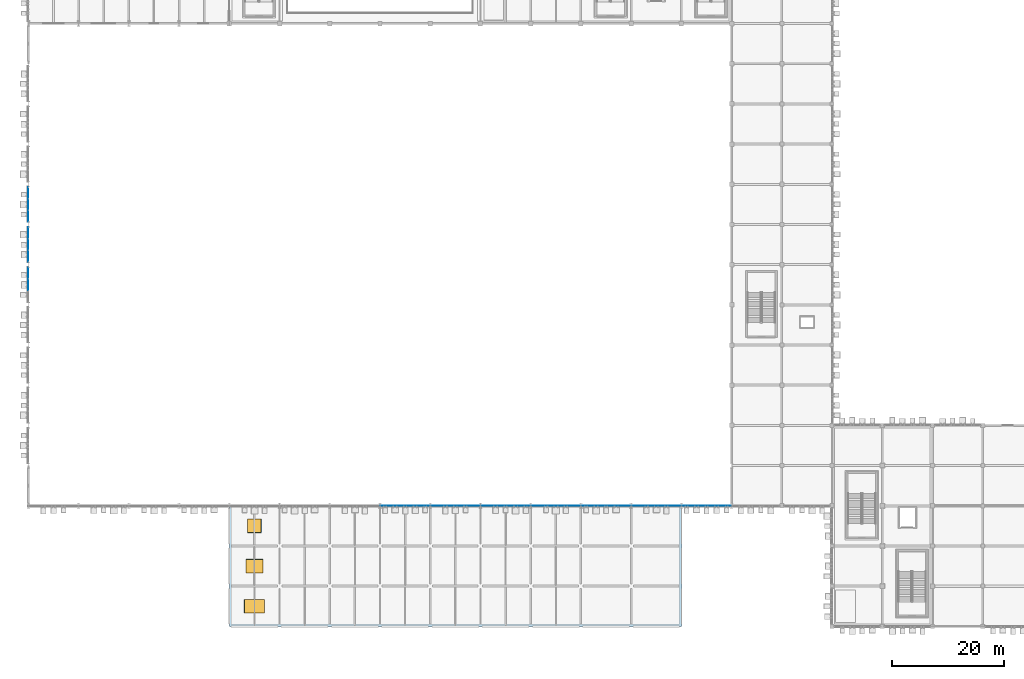
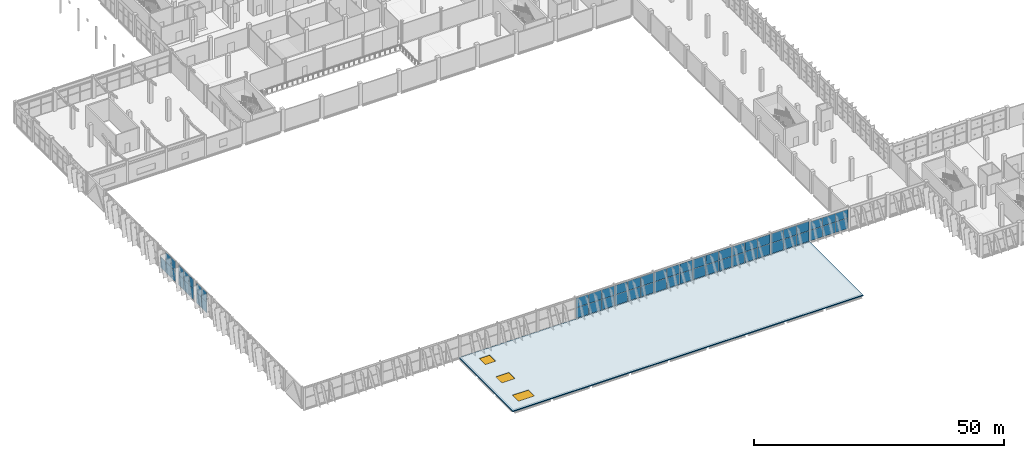
# One storey, part 113 of 189: 57 plates, 3 windows, 1 slab, 3 openings, 10 elements without a shape of their own.
"""IFC4 building model written with IfcOpenShell, lengths in metres."""

from ifc_helpers import new_model, si_unit, direction, frame, origin, origin_2d, place, context, subcontext, project, spatial, polyline, rectangle, outline, extrude, material, layer, layer_set, type_object, element, fill, aggregate, save


model = new_model("IFC4")

# Units and contexts
model_context = context("Model", 3, precision=1e-05, world=origin(), true_north=direction((0.0, 1.0)))
body_context = subcontext(model_context, "Body", "Model", "MODEL_VIEW")
ifc_project = project(units=[si_unit("LENGTHUNIT", "METRE"), si_unit("AREAUNIT", "SQUARE_METRE"), si_unit("VOLUMEUNIT", "CUBIC_METRE"), si_unit("PLANEANGLEUNIT", "RADIAN"), si_unit("MASSUNIT", "GRAM", prefix="KILO")], contexts=[model_context])

# Site, building, storey
site_placement = place(None, origin())
site = spatial("IfcSite", under=ifc_project, at=site_placement, CompositionType="ELEMENT")
building_placement = place(site_placement, origin())
building = spatial("IfcBuilding", under=site, at=building_placement, Name="Celestram Park Convention Centre", CompositionType="ELEMENT")
storey_placement = place(building_placement, frame((0.0, 0.0, 5.39990234375)))
storey = spatial("IfcBuildingStorey", under=building, at=storey_placement, Name="L01", CompositionType="ELEMENT", Elevation=5.39990234375)

# Curtain wall, plates
ifc_material_1 = material(Name="Anodised Aluminium Alloy 6063-T6", Category="aluminium")
ifc_layer_1 = layer(ifc_material_1, 0.179931640625)
ifc_layer_set_1 = layer_set([ifc_layer_1], Name="Anodised Aluminium Alloy 6063-T6")
curtain_wall_type_1 = type_object("IfcCurtainWallType", Name="ARC-CW-627X510", PredefinedType="NOTDEFINED", material=ifc_layer_set_1)
curtain_wall_1_placement = place(storey_placement, origin())
curtain_wall_1 = element("IfcCurtainWall", 1, at=curtain_wall_1_placement, inside=storey, type_object=curtain_wall_type_1, Name="Unitised curtain wall CU-L01-117", PredefinedType="NOTDEFINED")
ifc_material_2 = material(Name="Insulated Glazing Unit 28 mm", Category="glass")
ifc_layer_2 = layer(ifc_material_2, 0.028076171875)
ifc_layer_set_2 = layer_set([ifc_layer_2], Name="Insulated Glazing Unit 28 mm")
plate_type_1 = type_object("IfcPlateType", Name="ARC-CWP-IGU28", PredefinedType="CURTAIN_PANEL", material=ifc_layer_set_2)
plate_1_placement = place(storey_placement, frame((0.0, 61.199951171875, 0.06005859375), z_axis=(0.0, 0.0, 1.0), x_axis=(0.0, 1.0, 0.0)))
plate_1 = element("IfcPlate", 2, at=plate_1_placement, type_object=plate_type_1, Name="CW-62X51 panel 2.1", PredefinedType="CURTAIN_PANEL", context=body_context, shape_type="SweptSolid", body=[
    extrude(rectangle(XDim=2.025634765625, YDim=0.028076171875, at=origin_2d()), origin(), (0.0, 0.0, 1.0), 2.56005859375),
])
plate_2_placement = place(storey_placement, frame((0.0, 61.199951171875, 2.68017578125), z_axis=(0.0, 0.0, 1.0), x_axis=(0.0, 1.0, 0.0)))
plate_2 = element("IfcPlate", 3, at=plate_2_placement, type_object=plate_type_1, Name="CW-62X51 panel 2.2", PredefinedType="CURTAIN_PANEL", context=body_context, shape_type="SweptSolid", body=[
    extrude(rectangle(XDim=2.025634765625, YDim=0.028076171875, at=origin_2d()), origin(), (0.0, 0.0, 1.0), 2.360107421875),
])
plate_3_placement = place(storey_placement, frame((0.0, 63.2744140625, 0.06005859375), z_axis=(0.0, 0.0, 1.0), x_axis=(0.0, 1.0, 0.0)))
plate_3 = element("IfcPlate", 4, at=plate_3_placement, type_object=plate_type_1, Name="CW-62X51 panel 3.1", PredefinedType="CURTAIN_PANEL", context=body_context, shape_type="SweptSolid", body=[
    extrude(rectangle(XDim=1.9931640625, YDim=0.028076171875, at=origin_2d()), origin(), (0.0, 0.0, 1.0), 2.56005859375),
])
plate_4_placement = place(storey_placement, frame((0.0, 63.2744140625, 2.68017578125), z_axis=(0.0, 0.0, 1.0), x_axis=(0.0, 1.0, 0.0)))
plate_4 = element("IfcPlate", 5, at=plate_4_placement, type_object=plate_type_1, Name="CW-62X51 panel 3.2", PredefinedType="CURTAIN_PANEL", context=body_context, shape_type="SweptSolid", body=[
    extrude(rectangle(XDim=1.9931640625, YDim=0.028076171875, at=origin_2d()), origin(), (0.0, 0.0, 1.0), 2.360107421875),
])
aggregate(curtain_wall_1, [plate_1, plate_2, plate_3, plate_4])

curtain_wall_2_placement = place(storey_placement, origin())
curtain_wall_2 = element("IfcCurtainWall", 6, at=curtain_wall_2_placement, inside=storey, type_object=curtain_wall_type_1, Name="Unitised curtain wall CU-L01-118", PredefinedType="NOTDEFINED")
plate_5_placement = place(storey_placement, frame((0.0, 66.32568359375, 0.06005859375), z_axis=(0.0, 0.0, 1.0), x_axis=(0.0, 1.0, 0.0)))
plate_5 = element("IfcPlate", 7, at=plate_5_placement, type_object=plate_type_1, Name="CW-62X51 panel 1.1", PredefinedType="CURTAIN_PANEL", context=body_context, shape_type="SweptSolid", body=[
    extrude(rectangle(XDim=1.9931640625, YDim=0.028076171875, at=origin_2d()), origin(), (0.0, 0.0, 1.0), 2.56005859375),
])
plate_6_placement = place(storey_placement, frame((0.0, 66.32568359375, 2.68017578125), z_axis=(0.0, 0.0, 1.0), x_axis=(0.0, 1.0, 0.0)))
plate_6 = element("IfcPlate", 8, at=plate_6_placement, type_object=plate_type_1, Name="CW-62X51 panel 1.2", PredefinedType="CURTAIN_PANEL", context=body_context, shape_type="SweptSolid", body=[
    extrude(rectangle(XDim=1.9931640625, YDim=0.028076171875, at=origin_2d()), origin(), (0.0, 0.0, 1.0), 2.360107421875),
])
plate_7_placement = place(storey_placement, frame((0.0, 68.39990234375, 0.06005859375), z_axis=(0.0, 0.0, 1.0), x_axis=(0.0, 1.0, 0.0)))
plate_7 = element("IfcPlate", 9, at=plate_7_placement, type_object=plate_type_1, Name="CW-62X51 panel 2.1", PredefinedType="CURTAIN_PANEL", context=body_context, shape_type="SweptSolid", body=[
    extrude(rectangle(XDim=2.025634765625, YDim=0.028076171875, at=origin_2d()), origin(), (0.0, 0.0, 1.0), 2.56005859375),
])
plate_8_placement = place(storey_placement, frame((0.0, 68.39990234375, 2.68017578125), z_axis=(0.0, 0.0, 1.0), x_axis=(0.0, 1.0, 0.0)))
plate_8 = element("IfcPlate", 10, at=plate_8_placement, type_object=plate_type_1, Name="CW-62X51 panel 2.2", PredefinedType="CURTAIN_PANEL", context=body_context, shape_type="SweptSolid", body=[
    extrude(rectangle(XDim=2.025634765625, YDim=0.028076171875, at=origin_2d()), origin(), (0.0, 0.0, 1.0), 2.360107421875),
])
plate_9_placement = place(storey_placement, frame((0.0, 70.474365234375, 0.06005859375), z_axis=(0.0, 0.0, 1.0), x_axis=(0.0, 1.0, 0.0)))
plate_9 = element("IfcPlate", 11, at=plate_9_placement, type_object=plate_type_1, Name="CW-62X51 panel 3.1", PredefinedType="CURTAIN_PANEL", context=body_context, shape_type="SweptSolid", body=[
    extrude(rectangle(XDim=1.9931640625, YDim=0.028076171875, at=origin_2d()), origin(), (0.0, 0.0, 1.0), 2.56005859375),
])
plate_10_placement = place(storey_placement, frame((0.0, 70.474365234375, 2.68017578125), z_axis=(0.0, 0.0, 1.0), x_axis=(0.0, 1.0, 0.0)))
plate_10 = element("IfcPlate", 12, at=plate_10_placement, type_object=plate_type_1, Name="CW-62X51 panel 3.2", PredefinedType="CURTAIN_PANEL", context=body_context, shape_type="SweptSolid", body=[
    extrude(rectangle(XDim=1.9931640625, YDim=0.028076171875, at=origin_2d()), origin(), (0.0, 0.0, 1.0), 2.360107421875),
])
aggregate(curtain_wall_2, [plate_5, plate_6, plate_7, plate_8, plate_9, plate_10])

curtain_wall_3_placement = place(storey_placement, origin())
curtain_wall_3 = element("IfcCurtainWall", 13, at=curtain_wall_3_placement, inside=storey, type_object=curtain_wall_type_1, Name="Unitised curtain wall CU-L01-119", PredefinedType="NOTDEFINED")
plate_11_placement = place(storey_placement, frame((0.0, 73.525634765625, 0.06005859375), z_axis=(0.0, 0.0, 1.0), x_axis=(0.0, 1.0, 0.0)))
plate_11 = element("IfcPlate", 14, at=plate_11_placement, type_object=plate_type_1, Name="CW-62X51 panel 1.1", PredefinedType="CURTAIN_PANEL", context=body_context, shape_type="SweptSolid", body=[
    extrude(rectangle(XDim=1.9931640625, YDim=0.028076171875, at=origin_2d()), origin(), (0.0, 0.0, 1.0), 2.56005859375),
])
plate_12_placement = place(storey_placement, frame((0.0, 73.525634765625, 2.68017578125), z_axis=(0.0, 0.0, 1.0), x_axis=(0.0, 1.0, 0.0)))
plate_12 = element("IfcPlate", 15, at=plate_12_placement, type_object=plate_type_1, Name="CW-62X51 panel 1.2", PredefinedType="CURTAIN_PANEL", context=body_context, shape_type="SweptSolid", body=[
    extrude(rectangle(XDim=1.9931640625, YDim=0.028076171875, at=origin_2d()), origin(), (0.0, 0.0, 1.0), 2.360107421875),
])
plate_13_placement = place(storey_placement, frame((0.0, 75.60009765625, 0.06005859375), z_axis=(0.0, 0.0, 1.0), x_axis=(0.0, 1.0, 0.0)))
plate_13 = element("IfcPlate", 16, at=plate_13_placement, type_object=plate_type_1, Name="CW-62X51 panel 2.1", PredefinedType="CURTAIN_PANEL", context=body_context, shape_type="SweptSolid", body=[
    extrude(rectangle(XDim=2.025634765625, YDim=0.028076171875, at=origin_2d()), origin(), (0.0, 0.0, 1.0), 2.56005859375),
])
plate_14_placement = place(storey_placement, frame((0.0, 75.60009765625, 2.68017578125), z_axis=(0.0, 0.0, 1.0), x_axis=(0.0, 1.0, 0.0)))
plate_14 = element("IfcPlate", 17, at=plate_14_placement, type_object=plate_type_1, Name="CW-62X51 panel 2.2", PredefinedType="CURTAIN_PANEL", context=body_context, shape_type="SweptSolid", body=[
    extrude(rectangle(XDim=2.025634765625, YDim=0.028076171875, at=origin_2d()), origin(), (0.0, 0.0, 1.0), 2.360107421875),
])
plate_15_placement = place(storey_placement, frame((0.0, 77.67431640625, 0.06005859375), z_axis=(0.0, 0.0, 1.0), x_axis=(0.0, 1.0, 0.0)))
plate_15 = element("IfcPlate", 18, at=plate_15_placement, type_object=plate_type_1, Name="CW-62X51 panel 3.1", PredefinedType="CURTAIN_PANEL", context=body_context, shape_type="SweptSolid", body=[
    extrude(rectangle(XDim=1.9931640625, YDim=0.028076171875, at=origin_2d()), origin(), (0.0, 0.0, 1.0), 2.56005859375),
])
aggregate(curtain_wall_3, [plate_11, plate_12, plate_13, plate_14, plate_15])

ifc_layer_3 = layer(ifc_material_1, 0.179931640625)
ifc_layer_set_3 = layer_set([ifc_layer_3], Name="Anodised Aluminium Alloy 6063-T6")
curtain_wall_type_2 = type_object("IfcCurtainWallType", Name="ARC-CW-898X480", PredefinedType="NOTDEFINED", material=ifc_layer_set_3)
curtain_wall_4_placement = place(storey_placement, origin())
curtain_wall_4 = element("IfcCurtainWall", 19, at=curtain_wall_4_placement, inside=storey, type_object=curtain_wall_type_2, Name="Unitised curtain wall CU-L01-127", PredefinedType="NOTDEFINED")
ifc_material_3 = material(Name="Insulated Glazing Unit 38 mm", Category="glass")
ifc_layer_4 = layer(ifc_material_3, 0.0380859375)
ifc_layer_set_4 = layer_set([ifc_layer_4], Name="Insulated Glazing Unit 38 mm")
plate_type_2 = type_object("IfcPlateType", Name="ARC-CWP-IGU38", PredefinedType="CURTAIN_PANEL", material=ifc_layer_set_4)
plate_16_placement = place(storey_placement, frame((124.474609375, 21.60009765625, 0.06494140625), z_axis=(0.0, 0.0, 1.0), x_axis=(-1.0, 0.0, 0.0)))
plate_16 = element("IfcPlate", 20, at=plate_16_placement, type_object=plate_type_2, Name="CW-89X48 panel 1.1", PredefinedType="CURTAIN_PANEL", context=body_context, shape_type="SweptSolid", body=[
    extrude(rectangle(XDim=2.880859375, YDim=0.0380859375, at=origin_2d()), origin(), (0.0, 0.0, 1.0), 2.552490234375),
])
plate_17_placement = place(storey_placement, frame((124.474609375, 21.60009765625, 2.6826171875), z_axis=(0.0, 0.0, 1.0), x_axis=(-1.0, 0.0, 0.0)))
plate_17 = element("IfcPlate", 21, at=plate_17_placement, type_object=plate_type_2, Name="CW-89X48 panel 1.2", PredefinedType="CURTAIN_PANEL", context=body_context, shape_type="SweptSolid", body=[
    extrude(rectangle(XDim=2.880859375, YDim=0.0380859375, at=origin_2d()), origin(), (0.0, 0.0, 1.0), 2.056396484375),
])
plate_18_placement = place(storey_placement, frame((121.5, 21.60009765625, 0.06494140625), z_axis=(0.0, 0.0, 1.0), x_axis=(-1.0, 0.0, 0.0)))
plate_18 = element("IfcPlate", 22, at=plate_18_placement, type_object=plate_type_2, Name="CW-89X48 panel 2.1", PredefinedType="CURTAIN_PANEL", context=body_context, shape_type="SweptSolid", body=[
    extrude(rectangle(XDim=2.918212890625, YDim=0.0380859375, at=origin_2d()), origin(), (0.0, 0.0, 1.0), 2.552490234375),
])
plate_19_placement = place(storey_placement, frame((121.5, 21.60009765625, 2.6826171875), z_axis=(0.0, 0.0, 1.0), x_axis=(-1.0, 0.0, 0.0)))
plate_19 = element("IfcPlate", 23, at=plate_19_placement, type_object=plate_type_2, Name="CW-89X48 panel 2.2", PredefinedType="CURTAIN_PANEL", context=body_context, shape_type="SweptSolid", body=[
    extrude(rectangle(XDim=2.918212890625, YDim=0.0380859375, at=origin_2d()), origin(), (0.0, 0.0, 1.0), 2.056396484375),
])
plate_20_placement = place(storey_placement, frame((118.525390625, 21.60009765625, 0.06494140625), z_axis=(0.0, 0.0, 1.0), x_axis=(-1.0, 0.0, 0.0)))
plate_20 = element("IfcPlate", 24, at=plate_20_placement, type_object=plate_type_2, Name="CW-89X48 panel 3.1", PredefinedType="CURTAIN_PANEL", context=body_context, shape_type="SweptSolid", body=[
    extrude(rectangle(XDim=2.880859375, YDim=0.0380859375, at=origin_2d()), origin(), (0.0, 0.0, 1.0), 2.552490234375),
])
plate_21_placement = place(storey_placement, frame((118.525390625, 21.60009765625, 2.6826171875), z_axis=(0.0, 0.0, 1.0), x_axis=(-1.0, 0.0, 0.0)))
plate_21 = element("IfcPlate", 25, at=plate_21_placement, type_object=plate_type_2, Name="CW-89X48 panel 3.2", PredefinedType="CURTAIN_PANEL", context=body_context, shape_type="SweptSolid", body=[
    extrude(rectangle(XDim=2.880859375, YDim=0.0380859375, at=origin_2d()), origin(), (0.0, 0.0, 1.0), 2.056396484375),
])
aggregate(curtain_wall_4, [plate_16, plate_17, plate_18, plate_19, plate_20, plate_21])

ifc_layer_5 = layer(ifc_material_1, 0.179931640625)
ifc_layer_set_5 = layer_set([ifc_layer_5], Name="Anodised Aluminium Alloy 6063-T6")
curtain_wall_type_3 = type_object("IfcCurtainWallType", Name="ARC-CW-898X503", PredefinedType="NOTDEFINED", material=ifc_layer_set_5)
curtain_wall_5_placement = place(storey_placement, origin())
curtain_wall_5 = element("IfcCurtainWall", 26, at=curtain_wall_5_placement, inside=storey, type_object=curtain_wall_type_3, Name="Unitised curtain wall CU-L01-128", PredefinedType="NOTDEFINED")
plate_22_placement = place(storey_placement, frame((115.474609375, 21.60009765625, 0.06494140625), z_axis=(0.0, 0.0, 1.0), x_axis=(-1.0, 0.0, 0.0)))
plate_22 = element("IfcPlate", 27, at=plate_22_placement, type_object=plate_type_2, Name="CW-89X50 panel 1.1", PredefinedType="CURTAIN_PANEL", context=body_context, shape_type="SweptSolid", body=[
    extrude(rectangle(XDim=2.880859375, YDim=0.0380859375, at=origin_2d()), origin(), (0.0, 0.0, 1.0), 2.552490234375),
])
plate_23_placement = place(storey_placement, frame((115.474609375, 21.60009765625, 2.6826171875), z_axis=(0.0, 0.0, 1.0), x_axis=(-1.0, 0.0, 0.0)))
plate_23 = element("IfcPlate", 28, at=plate_23_placement, type_object=plate_type_2, Name="CW-89X50 panel 1.2", PredefinedType="CURTAIN_PANEL", context=body_context, shape_type="SweptSolid", body=[
    extrude(rectangle(XDim=2.880859375, YDim=0.0380859375, at=origin_2d()), origin(), (0.0, 0.0, 1.0), 2.279541015625),
])
plate_24_placement = place(storey_placement, frame((112.5, 21.60009765625, 0.06494140625), z_axis=(0.0, 0.0, 1.0), x_axis=(-1.0, 0.0, 0.0)))
plate_24 = element("IfcPlate", 29, at=plate_24_placement, type_object=plate_type_2, Name="CW-89X50 panel 2.1", PredefinedType="CURTAIN_PANEL", context=body_context, shape_type="SweptSolid", body=[
    extrude(rectangle(XDim=2.918212890625, YDim=0.0380859375, at=origin_2d()), origin(), (0.0, 0.0, 1.0), 2.552490234375),
])
plate_25_placement = place(storey_placement, frame((112.5, 21.60009765625, 2.6826171875), z_axis=(0.0, 0.0, 1.0), x_axis=(-1.0, 0.0, 0.0)))
plate_25 = element("IfcPlate", 30, at=plate_25_placement, type_object=plate_type_2, Name="CW-89X50 panel 2.2", PredefinedType="CURTAIN_PANEL", context=body_context, shape_type="SweptSolid", body=[
    extrude(rectangle(XDim=2.918212890625, YDim=0.0380859375, at=origin_2d()), origin(), (0.0, 0.0, 1.0), 2.279541015625),
])
plate_26_placement = place(storey_placement, frame((109.525390625, 21.60009765625, 0.06494140625), z_axis=(0.0, 0.0, 1.0), x_axis=(-1.0, 0.0, 0.0)))
plate_26 = element("IfcPlate", 31, at=plate_26_placement, type_object=plate_type_2, Name="CW-89X50 panel 3.1", PredefinedType="CURTAIN_PANEL", context=body_context, shape_type="SweptSolid", body=[
    extrude(rectangle(XDim=2.880859375, YDim=0.0380859375, at=origin_2d()), origin(), (0.0, 0.0, 1.0), 2.552490234375),
])
plate_27_placement = place(storey_placement, frame((109.525390625, 21.60009765625, 2.6826171875), z_axis=(0.0, 0.0, 1.0), x_axis=(-1.0, 0.0, 0.0)))
plate_27 = element("IfcPlate", 32, at=plate_27_placement, type_object=plate_type_2, Name="CW-89X50 panel 3.2", PredefinedType="CURTAIN_PANEL", context=body_context, shape_type="SweptSolid", body=[
    extrude(rectangle(XDim=2.880859375, YDim=0.0380859375, at=origin_2d()), origin(), (0.0, 0.0, 1.0), 2.279541015625),
])
aggregate(curtain_wall_5, [plate_22, plate_23, plate_24, plate_25, plate_26, plate_27])

curtain_wall_6_placement = place(storey_placement, origin())
curtain_wall_6 = element("IfcCurtainWall", 33, at=curtain_wall_6_placement, inside=storey, type_object=curtain_wall_type_3, Name="Unitised curtain wall CU-L01-129", PredefinedType="NOTDEFINED")
plate_28_placement = place(storey_placement, frame((106.474609375, 21.60009765625, 0.06494140625), z_axis=(0.0, 0.0, 1.0), x_axis=(-1.0, 0.0, 0.0)))
plate_28 = element("IfcPlate", 34, at=plate_28_placement, type_object=plate_type_2, Name="CW-89X50 panel 1.1", PredefinedType="CURTAIN_PANEL", context=body_context, shape_type="SweptSolid", body=[
    extrude(rectangle(XDim=2.880859375, YDim=0.0380859375, at=origin_2d()), origin(), (0.0, 0.0, 1.0), 2.552490234375),
])
plate_29_placement = place(storey_placement, frame((106.474609375, 21.60009765625, 2.6826171875), z_axis=(0.0, 0.0, 1.0), x_axis=(-1.0, 0.0, 0.0)))
plate_29 = element("IfcPlate", 35, at=plate_29_placement, type_object=plate_type_2, Name="CW-89X50 panel 1.2", PredefinedType="CURTAIN_PANEL", context=body_context, shape_type="SweptSolid", body=[
    extrude(rectangle(XDim=2.880859375, YDim=0.0380859375, at=origin_2d()), origin(), (0.0, 0.0, 1.0), 2.279541015625),
])
plate_30_placement = place(storey_placement, frame((103.5, 21.60009765625, 0.06494140625), z_axis=(0.0, 0.0, 1.0), x_axis=(-1.0, 0.0, 0.0)))
plate_30 = element("IfcPlate", 36, at=plate_30_placement, type_object=plate_type_2, Name="CW-89X50 panel 2.1", PredefinedType="CURTAIN_PANEL", context=body_context, shape_type="SweptSolid", body=[
    extrude(rectangle(XDim=2.918212890625, YDim=0.0380859375, at=origin_2d()), origin(), (0.0, 0.0, 1.0), 2.552490234375),
])
plate_31_placement = place(storey_placement, frame((103.5, 21.60009765625, 2.6826171875), z_axis=(0.0, 0.0, 1.0), x_axis=(-1.0, 0.0, 0.0)))
plate_31 = element("IfcPlate", 37, at=plate_31_placement, type_object=plate_type_2, Name="CW-89X50 panel 2.2", PredefinedType="CURTAIN_PANEL", context=body_context, shape_type="SweptSolid", body=[
    extrude(rectangle(XDim=2.918212890625, YDim=0.0380859375, at=origin_2d()), origin(), (0.0, 0.0, 1.0), 2.279541015625),
])
plate_32_placement = place(storey_placement, frame((100.525390625, 21.60009765625, 0.06494140625), z_axis=(0.0, 0.0, 1.0), x_axis=(-1.0, 0.0, 0.0)))
plate_32 = element("IfcPlate", 38, at=plate_32_placement, type_object=plate_type_2, Name="CW-89X50 panel 3.1", PredefinedType="CURTAIN_PANEL", context=body_context, shape_type="SweptSolid", body=[
    extrude(rectangle(XDim=2.880859375, YDim=0.0380859375, at=origin_2d()), origin(), (0.0, 0.0, 1.0), 2.552490234375),
])
plate_33_placement = place(storey_placement, frame((100.525390625, 21.60009765625, 2.6826171875), z_axis=(0.0, 0.0, 1.0), x_axis=(-1.0, 0.0, 0.0)))
plate_33 = element("IfcPlate", 39, at=plate_33_placement, type_object=plate_type_2, Name="CW-89X50 panel 3.2", PredefinedType="CURTAIN_PANEL", context=body_context, shape_type="SweptSolid", body=[
    extrude(rectangle(XDim=2.880859375, YDim=0.0380859375, at=origin_2d()), origin(), (0.0, 0.0, 1.0), 2.279541015625),
])
aggregate(curtain_wall_6, [plate_28, plate_29, plate_30, plate_31, plate_32, plate_33])

curtain_wall_7_placement = place(storey_placement, origin())
curtain_wall_7 = element("IfcCurtainWall", 40, at=curtain_wall_7_placement, inside=storey, type_object=curtain_wall_type_3, Name="Unitised curtain wall CU-L01-130", PredefinedType="NOTDEFINED")
plate_34_placement = place(storey_placement, frame((97.474609375, 21.60009765625, 0.06494140625), z_axis=(0.0, 0.0, 1.0), x_axis=(-1.0, 0.0, 0.0)))
plate_34 = element("IfcPlate", 41, at=plate_34_placement, type_object=plate_type_2, Name="CW-89X50 panel 1.1", PredefinedType="CURTAIN_PANEL", context=body_context, shape_type="SweptSolid", body=[
    extrude(rectangle(XDim=2.880859375, YDim=0.0380859375, at=origin_2d()), origin(), (0.0, 0.0, 1.0), 2.552490234375),
])
plate_35_placement = place(storey_placement, frame((97.474609375, 21.60009765625, 2.6826171875), z_axis=(0.0, 0.0, 1.0), x_axis=(-1.0, 0.0, 0.0)))
plate_35 = element("IfcPlate", 42, at=plate_35_placement, type_object=plate_type_2, Name="CW-89X50 panel 1.2", PredefinedType="CURTAIN_PANEL", context=body_context, shape_type="SweptSolid", body=[
    extrude(rectangle(XDim=2.880859375, YDim=0.0380859375, at=origin_2d()), origin(), (0.0, 0.0, 1.0), 2.279541015625),
])
plate_36_placement = place(storey_placement, frame((94.5, 21.60009765625, 0.06494140625), z_axis=(0.0, 0.0, 1.0), x_axis=(-1.0, 0.0, 0.0)))
plate_36 = element("IfcPlate", 43, at=plate_36_placement, type_object=plate_type_2, Name="CW-89X50 panel 2.1", PredefinedType="CURTAIN_PANEL", context=body_context, shape_type="SweptSolid", body=[
    extrude(rectangle(XDim=2.918212890625, YDim=0.0380859375, at=origin_2d()), origin(), (0.0, 0.0, 1.0), 2.552490234375),
])
plate_37_placement = place(storey_placement, frame((94.5, 21.60009765625, 2.6826171875), z_axis=(0.0, 0.0, 1.0), x_axis=(-1.0, 0.0, 0.0)))
plate_37 = element("IfcPlate", 44, at=plate_37_placement, type_object=plate_type_2, Name="CW-89X50 panel 2.2", PredefinedType="CURTAIN_PANEL", context=body_context, shape_type="SweptSolid", body=[
    extrude(rectangle(XDim=2.918212890625, YDim=0.0380859375, at=origin_2d()), origin(), (0.0, 0.0, 1.0), 2.279541015625),
])
plate_38_placement = place(storey_placement, frame((91.525390625, 21.60009765625, 0.06494140625), z_axis=(0.0, 0.0, 1.0), x_axis=(-1.0, 0.0, 0.0)))
plate_38 = element("IfcPlate", 45, at=plate_38_placement, type_object=plate_type_2, Name="CW-89X50 panel 3.1", PredefinedType="CURTAIN_PANEL", context=body_context, shape_type="SweptSolid", body=[
    extrude(rectangle(XDim=2.880859375, YDim=0.0380859375, at=origin_2d()), origin(), (0.0, 0.0, 1.0), 2.552490234375),
])
plate_39_placement = place(storey_placement, frame((91.525390625, 21.60009765625, 2.6826171875), z_axis=(0.0, 0.0, 1.0), x_axis=(-1.0, 0.0, 0.0)))
plate_39 = element("IfcPlate", 46, at=plate_39_placement, type_object=plate_type_2, Name="CW-89X50 panel 3.2", PredefinedType="CURTAIN_PANEL", context=body_context, shape_type="SweptSolid", body=[
    extrude(rectangle(XDim=2.880859375, YDim=0.0380859375, at=origin_2d()), origin(), (0.0, 0.0, 1.0), 2.279541015625),
])
aggregate(curtain_wall_7, [plate_34, plate_35, plate_36, plate_37, plate_38, plate_39])

curtain_wall_8_placement = place(storey_placement, origin())
curtain_wall_8 = element("IfcCurtainWall", 47, at=curtain_wall_8_placement, inside=storey, type_object=curtain_wall_type_3, Name="Unitised curtain wall CU-L01-131", PredefinedType="NOTDEFINED")
plate_40_placement = place(storey_placement, frame((88.474609375, 21.60009765625, 0.06494140625), z_axis=(0.0, 0.0, 1.0), x_axis=(-1.0, 0.0, 0.0)))
plate_40 = element("IfcPlate", 48, at=plate_40_placement, type_object=plate_type_2, Name="CW-89X50 panel 1.1", PredefinedType="CURTAIN_PANEL", context=body_context, shape_type="SweptSolid", body=[
    extrude(rectangle(XDim=2.880859375, YDim=0.0380859375, at=origin_2d()), origin(), (0.0, 0.0, 1.0), 2.552490234375),
])
plate_41_placement = place(storey_placement, frame((88.474609375, 21.60009765625, 2.6826171875), z_axis=(0.0, 0.0, 1.0), x_axis=(-1.0, 0.0, 0.0)))
plate_41 = element("IfcPlate", 49, at=plate_41_placement, type_object=plate_type_2, Name="CW-89X50 panel 1.2", PredefinedType="CURTAIN_PANEL", context=body_context, shape_type="SweptSolid", body=[
    extrude(rectangle(XDim=2.880859375, YDim=0.0380859375, at=origin_2d()), origin(), (0.0, 0.0, 1.0), 2.279541015625),
])
plate_42_placement = place(storey_placement, frame((85.5, 21.60009765625, 0.06494140625), z_axis=(0.0, 0.0, 1.0), x_axis=(-1.0, 0.0, 0.0)))
plate_42 = element("IfcPlate", 50, at=plate_42_placement, type_object=plate_type_2, Name="CW-89X50 panel 2.1", PredefinedType="CURTAIN_PANEL", context=body_context, shape_type="SweptSolid", body=[
    extrude(rectangle(XDim=2.918212890625, YDim=0.0380859375, at=origin_2d()), origin(), (0.0, 0.0, 1.0), 2.552490234375),
])
plate_43_placement = place(storey_placement, frame((85.5, 21.60009765625, 2.6826171875), z_axis=(0.0, 0.0, 1.0), x_axis=(-1.0, 0.0, 0.0)))
plate_43 = element("IfcPlate", 51, at=plate_43_placement, type_object=plate_type_2, Name="CW-89X50 panel 2.2", PredefinedType="CURTAIN_PANEL", context=body_context, shape_type="SweptSolid", body=[
    extrude(rectangle(XDim=2.918212890625, YDim=0.0380859375, at=origin_2d()), origin(), (0.0, 0.0, 1.0), 2.279541015625),
])
plate_44_placement = place(storey_placement, frame((82.525390625, 21.60009765625, 0.06494140625), z_axis=(0.0, 0.0, 1.0), x_axis=(-1.0, 0.0, 0.0)))
plate_44 = element("IfcPlate", 52, at=plate_44_placement, type_object=plate_type_2, Name="CW-89X50 panel 3.1", PredefinedType="CURTAIN_PANEL", context=body_context, shape_type="SweptSolid", body=[
    extrude(rectangle(XDim=2.880859375, YDim=0.0380859375, at=origin_2d()), origin(), (0.0, 0.0, 1.0), 2.552490234375),
])
plate_45_placement = place(storey_placement, frame((82.525390625, 21.60009765625, 2.6826171875), z_axis=(0.0, 0.0, 1.0), x_axis=(-1.0, 0.0, 0.0)))
plate_45 = element("IfcPlate", 53, at=plate_45_placement, type_object=plate_type_2, Name="CW-89X50 panel 3.2", PredefinedType="CURTAIN_PANEL", context=body_context, shape_type="SweptSolid", body=[
    extrude(rectangle(XDim=2.880859375, YDim=0.0380859375, at=origin_2d()), origin(), (0.0, 0.0, 1.0), 2.279541015625),
])
aggregate(curtain_wall_8, [plate_40, plate_41, plate_42, plate_43, plate_44, plate_45])

curtain_wall_9_placement = place(storey_placement, origin())
curtain_wall_9 = element("IfcCurtainWall", 54, at=curtain_wall_9_placement, inside=storey, type_object=curtain_wall_type_3, Name="Unitised curtain wall CU-L01-132", PredefinedType="NOTDEFINED")
plate_46_placement = place(storey_placement, frame((79.474609375, 21.60009765625, 0.06494140625), z_axis=(0.0, 0.0, 1.0), x_axis=(-1.0, 0.0, 0.0)))
plate_46 = element("IfcPlate", 55, at=plate_46_placement, type_object=plate_type_2, Name="CW-89X50 panel 1.1", PredefinedType="CURTAIN_PANEL", context=body_context, shape_type="SweptSolid", body=[
    extrude(rectangle(XDim=2.880859375, YDim=0.0380859375, at=origin_2d()), origin(), (0.0, 0.0, 1.0), 2.552490234375),
])
plate_47_placement = place(storey_placement, frame((79.474609375, 21.60009765625, 2.6826171875), z_axis=(0.0, 0.0, 1.0), x_axis=(-1.0, 0.0, 0.0)))
plate_47 = element("IfcPlate", 56, at=plate_47_placement, type_object=plate_type_2, Name="CW-89X50 panel 1.2", PredefinedType="CURTAIN_PANEL", context=body_context, shape_type="SweptSolid", body=[
    extrude(rectangle(XDim=2.880859375, YDim=0.0380859375, at=origin_2d()), origin(), (0.0, 0.0, 1.0), 2.279541015625),
])
plate_48_placement = place(storey_placement, frame((76.5, 21.60009765625, 0.06494140625), z_axis=(0.0, 0.0, 1.0), x_axis=(-1.0, 0.0, 0.0)))
plate_48 = element("IfcPlate", 57, at=plate_48_placement, type_object=plate_type_2, Name="CW-89X50 panel 2.1", PredefinedType="CURTAIN_PANEL", context=body_context, shape_type="SweptSolid", body=[
    extrude(rectangle(XDim=2.918212890625, YDim=0.0380859375, at=origin_2d()), origin(), (0.0, 0.0, 1.0), 2.552490234375),
])
plate_49_placement = place(storey_placement, frame((76.5, 21.60009765625, 2.6826171875), z_axis=(0.0, 0.0, 1.0), x_axis=(-1.0, 0.0, 0.0)))
plate_49 = element("IfcPlate", 58, at=plate_49_placement, type_object=plate_type_2, Name="CW-89X50 panel 2.2", PredefinedType="CURTAIN_PANEL", context=body_context, shape_type="SweptSolid", body=[
    extrude(rectangle(XDim=2.918212890625, YDim=0.0380859375, at=origin_2d()), origin(), (0.0, 0.0, 1.0), 2.279541015625),
])
plate_50_placement = place(storey_placement, frame((73.525390625, 21.60009765625, 0.06494140625), z_axis=(0.0, 0.0, 1.0), x_axis=(-1.0, 0.0, 0.0)))
plate_50 = element("IfcPlate", 59, at=plate_50_placement, type_object=plate_type_2, Name="CW-89X50 panel 3.1", PredefinedType="CURTAIN_PANEL", context=body_context, shape_type="SweptSolid", body=[
    extrude(rectangle(XDim=2.880859375, YDim=0.0380859375, at=origin_2d()), origin(), (0.0, 0.0, 1.0), 2.552490234375),
])
plate_51_placement = place(storey_placement, frame((73.525390625, 21.60009765625, 2.6826171875), z_axis=(0.0, 0.0, 1.0), x_axis=(-1.0, 0.0, 0.0)))
plate_51 = element("IfcPlate", 60, at=plate_51_placement, type_object=plate_type_2, Name="CW-89X50 panel 3.2", PredefinedType="CURTAIN_PANEL", context=body_context, shape_type="SweptSolid", body=[
    extrude(rectangle(XDim=2.880859375, YDim=0.0380859375, at=origin_2d()), origin(), (0.0, 0.0, 1.0), 2.279541015625),
])
aggregate(curtain_wall_9, [plate_46, plate_47, plate_48, plate_49, plate_50, plate_51])

curtain_wall_10_placement = place(storey_placement, origin())
curtain_wall_10 = element("IfcCurtainWall", 61, at=curtain_wall_10_placement, inside=storey, type_object=curtain_wall_type_3, Name="Unitised curtain wall CU-L01-133", PredefinedType="NOTDEFINED")
plate_52_placement = place(storey_placement, frame((70.474609375, 21.60009765625, 0.06494140625), z_axis=(0.0, 0.0, 1.0), x_axis=(-1.0, 0.0, 0.0)))
plate_52 = element("IfcPlate", 62, at=plate_52_placement, type_object=plate_type_2, Name="CW-89X50 panel 1.1", PredefinedType="CURTAIN_PANEL", context=body_context, shape_type="SweptSolid", body=[
    extrude(rectangle(XDim=2.880859375, YDim=0.0380859375, at=origin_2d()), origin(), (0.0, 0.0, 1.0), 2.552490234375),
])
plate_53_placement = place(storey_placement, frame((70.474609375, 21.60009765625, 2.6826171875), z_axis=(0.0, 0.0, 1.0), x_axis=(-1.0, 0.0, 0.0)))
plate_53 = element("IfcPlate", 63, at=plate_53_placement, type_object=plate_type_2, Name="CW-89X50 panel 1.2", PredefinedType="CURTAIN_PANEL", context=body_context, shape_type="SweptSolid", body=[
    extrude(rectangle(XDim=2.880859375, YDim=0.0380859375, at=origin_2d()), origin(), (0.0, 0.0, 1.0), 2.279541015625),
])
plate_54_placement = place(storey_placement, frame((67.5, 21.60009765625, 0.06494140625), z_axis=(0.0, 0.0, 1.0), x_axis=(-1.0, 0.0, 0.0)))
plate_54 = element("IfcPlate", 64, at=plate_54_placement, type_object=plate_type_2, Name="CW-89X50 panel 2.1", PredefinedType="CURTAIN_PANEL", context=body_context, shape_type="SweptSolid", body=[
    extrude(rectangle(XDim=2.918212890625, YDim=0.0380859375, at=origin_2d()), origin(), (0.0, 0.0, 1.0), 2.552490234375),
])
plate_55_placement = place(storey_placement, frame((67.5, 21.60009765625, 2.6826171875), z_axis=(0.0, 0.0, 1.0), x_axis=(-1.0, 0.0, 0.0)))
plate_55 = element("IfcPlate", 65, at=plate_55_placement, type_object=plate_type_2, Name="CW-89X50 panel 2.2", PredefinedType="CURTAIN_PANEL", context=body_context, shape_type="SweptSolid", body=[
    extrude(rectangle(XDim=2.918212890625, YDim=0.0380859375, at=origin_2d()), origin(), (0.0, 0.0, 1.0), 2.279541015625),
])
plate_56_placement = place(storey_placement, frame((64.525390625, 21.60009765625, 0.06494140625), z_axis=(0.0, 0.0, 1.0), x_axis=(-1.0, 0.0, 0.0)))
plate_56 = element("IfcPlate", 66, at=plate_56_placement, type_object=plate_type_2, Name="CW-89X50 panel 3.1", PredefinedType="CURTAIN_PANEL", context=body_context, shape_type="SweptSolid", body=[
    extrude(rectangle(XDim=2.880859375, YDim=0.0380859375, at=origin_2d()), origin(), (0.0, 0.0, 1.0), 2.552490234375),
])
plate_57_placement = place(storey_placement, frame((64.525390625, 21.60009765625, 2.6826171875), z_axis=(0.0, 0.0, 1.0), x_axis=(-1.0, 0.0, 0.0)))
plate_57 = element("IfcPlate", 67, at=plate_57_placement, type_object=plate_type_2, Name="CW-89X50 panel 3.2", PredefinedType="CURTAIN_PANEL", context=body_context, shape_type="SweptSolid", body=[
    extrude(rectangle(XDim=2.880859375, YDim=0.0380859375, at=origin_2d()), origin(), (0.0, 0.0, 1.0), 2.279541015625),
])
aggregate(curtain_wall_10, [plate_52, plate_53, plate_54, plate_55, plate_56, plate_57])

# Slab, openings, windows
ifc_material_4 = material(Name="Concrete C35/45", Category="concrete")
ifc_layer_6 = layer(ifc_material_4, 0.239990234375)
ifc_layer_set_6 = layer_set([ifc_layer_6], Name="Concrete C35/45")
slab_type = type_object("IfcSlabType", Name="STR-SLB-ROOF240", PredefinedType="ROOF", material=ifc_layer_set_6)
slab_placement = place(storey_placement, frame((0.0, 0.0, -0.239990234375)))
slab = element("IfcSlab", 68, at=slab_placement, inside=storey, type_object=slab_type, Name="Insulated flat roof deck SL-L01-RF038", PredefinedType="ROOF", context=body_context, shape_type="SweptSolid", body=[
    extrude(outline(polyline([(117.0, 0.0), (36.0, 0.0), (36.0, 21.60009765625), (117.0, 21.60009765625), (117.0, 0.0)])), origin(), (0.0, 0.0, 1.0), 0.239990234375),
])
opening_1_placement = place(slab_placement, frame((40.5, 3.60009765625, -0.010009765625)))
opening_1 = element("IfcOpeningElement", 69, at=opening_1_placement, cuts=slab, Name="Opening SK-01", PredefinedType="OPENING", context=body_context, shape_type="SweptSolid", body=[
    extrude(rectangle(XDim=3.60009765625, YDim=2.39990234375, at=origin_2d()), origin(), (0.0, 0.0, 1.0), 0.260009765625),
])
opening_2_placement = place(slab_placement, frame((40.5, 10.800048828125, -0.010009765625)))
opening_2 = element("IfcOpeningElement", 70, at=opening_2_placement, cuts=slab, Name="Opening SK-02", PredefinedType="OPENING", context=body_context, shape_type="SweptSolid", body=[
    extrude(rectangle(XDim=3.0, YDim=2.39990234375, at=origin_2d()), origin(), (0.0, 0.0, 1.0), 0.260009765625),
])
opening_3_placement = place(slab_placement, frame((40.5, 18.0, -0.010009765625)))
opening_3 = element("IfcOpeningElement", 71, at=opening_3_placement, cuts=slab, Name="Opening SK-03", PredefinedType="OPENING", context=body_context, shape_type="SweptSolid", body=[
    extrude(rectangle(XDim=2.39990234375, YDim=2.39990234375, at=origin_2d()), origin(), (0.0, 0.0, 1.0), 0.260009765625),
])
ifc_material_5 = material(Name="Thermally Broken Aluminium & Triple Glazing", Category="aluminium")
window_type_1 = type_object("IfcWindowType", Name="ARC-SK-240X240", PartitioningType="SINGLE_PANEL", PredefinedType="SKYLIGHT", material=ifc_material_5)
window_1_placement = place(opening_3_placement, frame((0.0, 0.0, 0.199951171875)))
window_1 = element("IfcWindow", 72, at=window_1_placement, inside=storey, type_object=window_type_1, Name="Insulated roof skylight SK-L01-03", OverallHeight=2.39990234375, OverallWidth=2.39990234375, PartitioningType="SINGLE_PANEL", PredefinedType="SKYLIGHT", context=body_context, shape_type="SweptSolid", body=[
    extrude(rectangle(XDim=2.39990234375, YDim=2.39990234375, at=origin_2d()), origin(), (0.0, 0.0, 1.0), 0.050048828125),
])
fill(opening_3, window_1)
window_type_2 = type_object("IfcWindowType", Name="ARC-SK-300X240", PartitioningType="SINGLE_PANEL", PredefinedType="SKYLIGHT", material=ifc_material_5)
window_2_placement = place(opening_2_placement, frame((0.0, 0.0, 0.199951171875)))
window_2 = element("IfcWindow", 73, at=window_2_placement, inside=storey, type_object=window_type_2, Name="Insulated roof skylight SK-L01-02", OverallHeight=2.39990234375, OverallWidth=3.0, PartitioningType="SINGLE_PANEL", PredefinedType="SKYLIGHT", context=body_context, shape_type="SweptSolid", body=[
    extrude(rectangle(XDim=3.0, YDim=2.39990234375, at=origin_2d()), origin(), (0.0, 0.0, 1.0), 0.050048828125),
])
fill(opening_2, window_2)
window_type_3 = type_object("IfcWindowType", Name="ARC-SK-360X240", PartitioningType="SINGLE_PANEL", PredefinedType="SKYLIGHT", material=ifc_material_5)
window_3_placement = place(opening_1_placement, frame((0.0, 0.0, 0.199951171875)))
window_3 = element("IfcWindow", 74, at=window_3_placement, inside=storey, type_object=window_type_3, Name="Insulated roof skylight SK-L01-01", OverallHeight=2.39990234375, OverallWidth=3.60009765625, PartitioningType="SINGLE_PANEL", PredefinedType="SKYLIGHT", context=body_context, shape_type="SweptSolid", body=[
    extrude(rectangle(XDim=3.60009765625, YDim=2.39990234375, at=origin_2d()), origin(), (0.0, 0.0, 1.0), 0.050048828125),
])
fill(opening_1, window_3)

save(model, "model.ifc")
